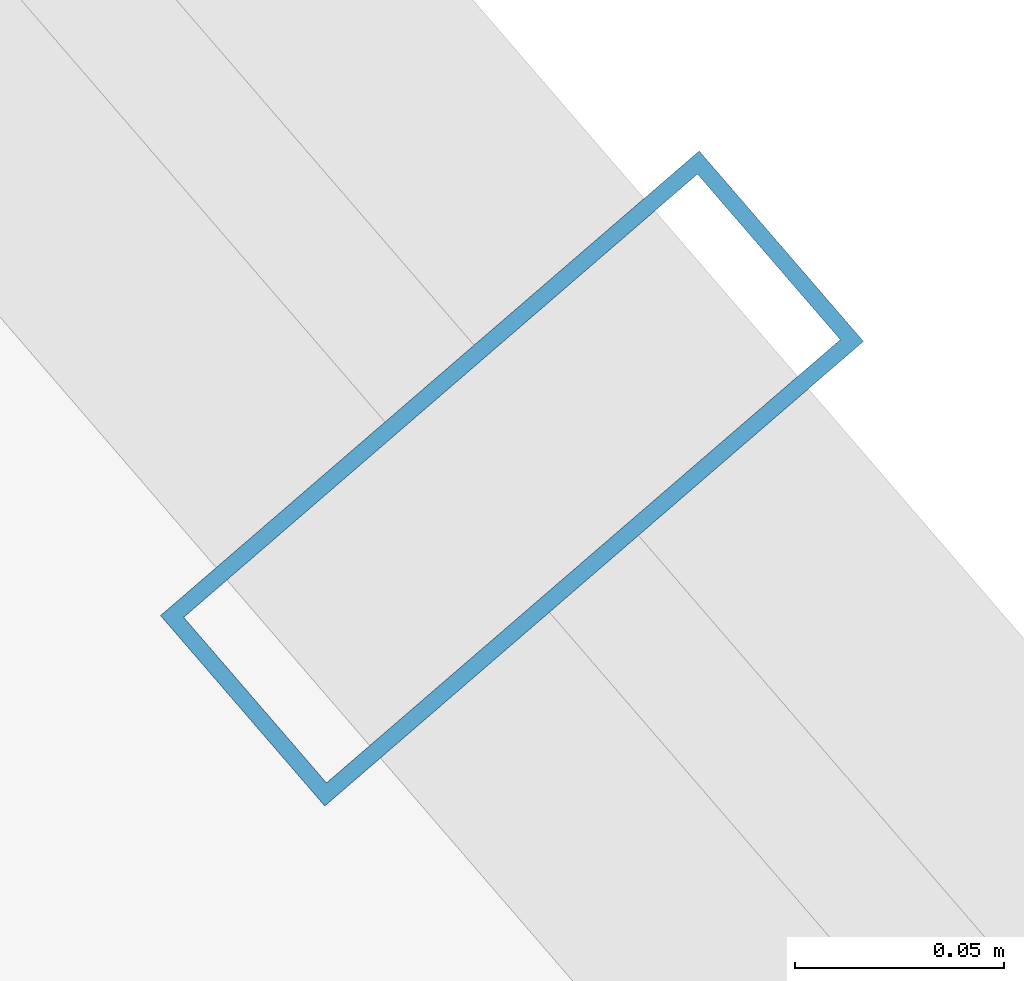
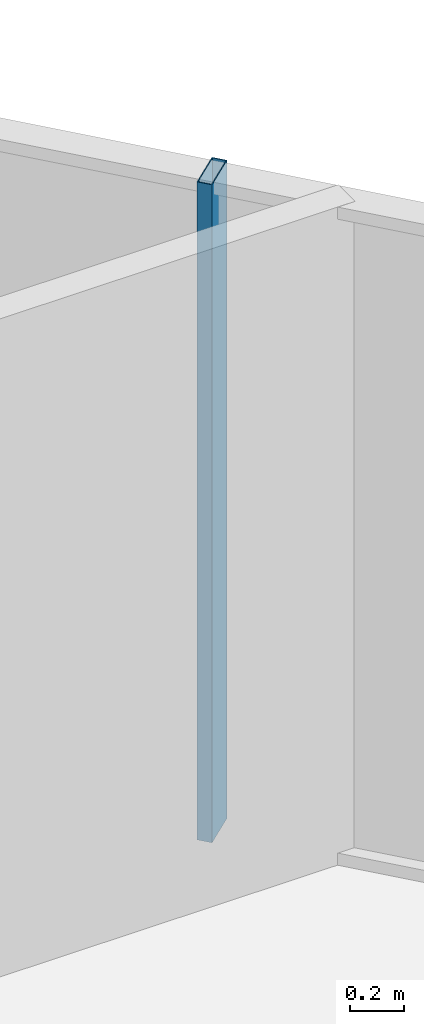
# One storey, part 29 of 38: 1 member, 1 element without a shape of its own.
"""IFC4 building model written with IfcOpenShell, lengths in metres."""

from ifc_helpers import new_model, si_unit, direction, frame, origin, origin_2d, place, context, subcontext, project, spatial, hollow_rectangle, extrude, source, transform, mapped, material, layer, layer_set, material_profile, profile_set, type_object, element, aggregate, save


model = new_model("IFC4")

# Units and contexts
model_context = context("Model", 3, precision=1e-05, world=origin(), true_north=direction((0.0, 1.0)))
body_context = subcontext(model_context, "Body", "Model", "MODEL_VIEW")
ifc_project = project(units=[si_unit("LENGTHUNIT", "METRE"), si_unit("AREAUNIT", "SQUARE_METRE"), si_unit("VOLUMEUNIT", "CUBIC_METRE"), si_unit("PLANEANGLEUNIT", "RADIAN"), si_unit("MASSUNIT", "GRAM", prefix="KILO")], contexts=[model_context])

# Site, building, storey
site_placement = place(None, origin())
site = spatial("IfcSite", under=ifc_project, at=site_placement, CompositionType="ELEMENT")
building_placement = place(site_placement, origin())
building = spatial("IfcBuilding", under=site, at=building_placement, Name="Veraguas Prism Commons", CompositionType="ELEMENT")
storey_placement = place(building_placement, frame((0.0, 0.0, 60.85009765625)))
storey = spatial("IfcBuildingStorey", under=building, at=storey_placement, Name="L16", CompositionType="ELEMENT", Elevation=60.85009765625)

# Curtain wall, member
ifc_material = material(Name="Anodised aluminium EN AW-6063 T6", Category="aluminium")
ifc_layer = layer(ifc_material, 0.169921875, Name="Unitised Flush Curtain Wall Zone 1", Category="aluminium")
ifc_layer_set = layer_set([ifc_layer], Name="Anodised aluminium EN AW-6063 T6")
curtain_wall_type = type_object("IfcCurtainWallType", Name="Unitised Flush Curtain Wall Zone 1", PredefinedType="NOTDEFINED", material=ifc_layer_set)
curtain_wall_placement = place(storey_placement, origin())
curtain_wall = element("IfcCurtainWall", 1, at=curtain_wall_placement, inside=storey, type_object=curtain_wall_type, Name="Tower Facade Curtain Wall L16-F1", PredefinedType="NOTDEFINED")
ifc_material_profile = material_profile(ifc_material, hollow_rectangle(XDim=0.06005859375, YDim=0.169921875, WallThickness=0.00390625, at=origin_2d()), Name="AL60X170X4")
ifc_profile_set = profile_set([ifc_material_profile], Name="Anodised aluminium EN AW-6063 T6")
member_type = type_object("IfcMemberType", Name="Curtain Wall Mullion Lower AL 60x170x4", PredefinedType="MULLION", material=ifc_profile_set)
shared_shape = source(origin(), body_context, "Body", "SweptSolid", [
    extrude(hollow_rectangle(XDim=0.06005859375, YDim=0.169921875, WallThickness=0.00390625, at=origin_2d()), origin(), (0.0, 0.0, 1.0), 3.0),
])
member_placement = place(storey_placement, frame((39.738525390625, 37.57568359375, 0.0), z_axis=(0.0, 0.0, 1.0), x_axis=(-0.653149715021, 0.757228796182, 0.0)))
member = element("IfcMember", 2, at=member_placement, type_object=member_type, Name="CW-Z1 Mullion 3", PredefinedType="MULLION", context=body_context, shape_type="MappedRepresentation", body=[
    mapped(shared_shape, transform((0.0, 0.0, 0.0), scale=1.0)),
])
aggregate(curtain_wall, [member])

save(model, "model.ifc")
